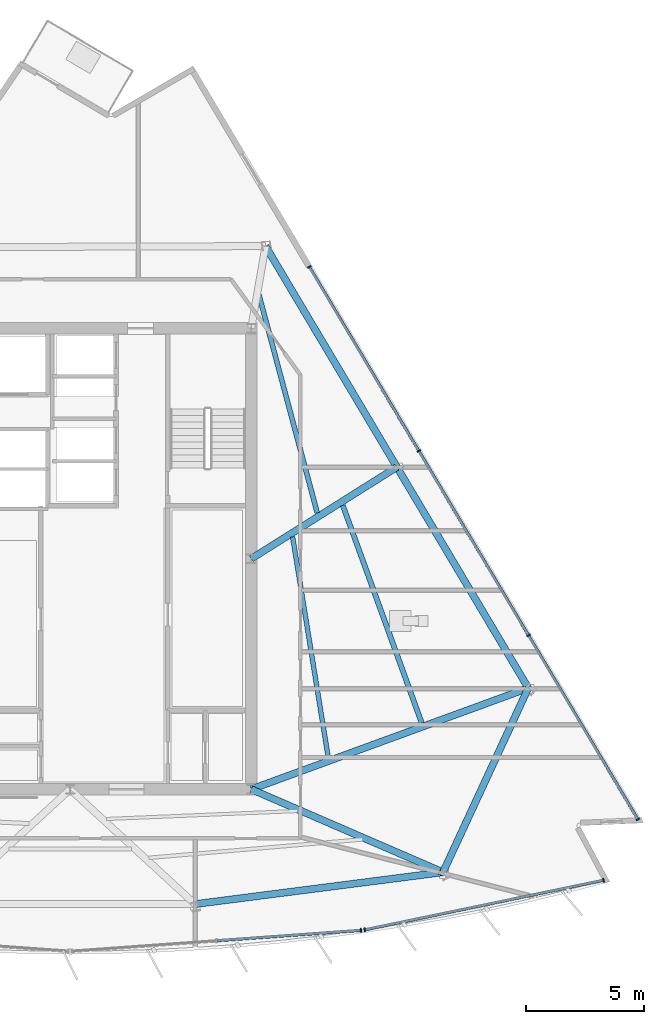
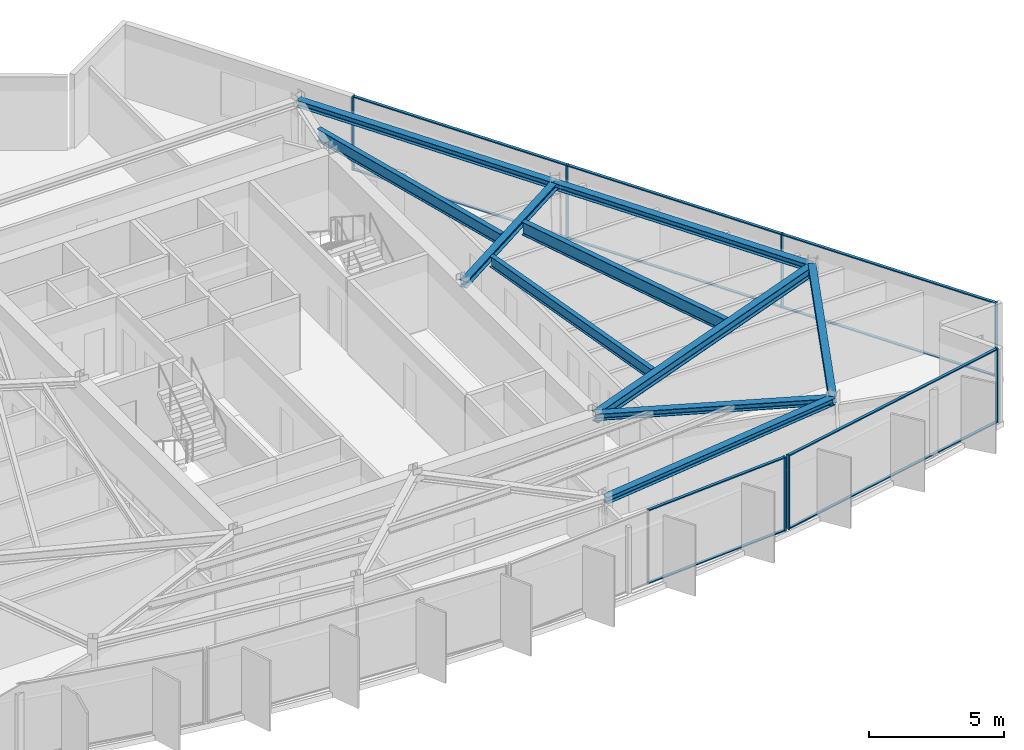
# One storey, part 5 of 13: 17 members, 10 beams, 3 elements without a shape of their own.
"""IFC4 building model written with IfcOpenShell, lengths in metres."""

from ifc_helpers import new_model, si_unit, direction, frame, origin, origin_2d, place, context, subcontext, project, spatial, rectangle, i_section, extrude, material, material_profile, profile_set, type_object, element, aggregate, save


model = new_model("IFC4")

# Units and contexts
model_context = context("Model", 3, precision=1e-05, world=origin(), true_north=direction((0.0, 1.0)))
body_context = subcontext(model_context, "Body", "Model", "MODEL_VIEW")
ifc_project = project(units=[si_unit("LENGTHUNIT", "METRE"), si_unit("AREAUNIT", "SQUARE_METRE"), si_unit("VOLUMEUNIT", "CUBIC_METRE"), si_unit("PLANEANGLEUNIT", "RADIAN"), si_unit("MASSUNIT", "GRAM", prefix="KILO")], contexts=[model_context])

# Site, building, storey
site_placement = place(None, origin())
site = spatial("IfcSite", under=ifc_project, at=site_placement, CompositionType="ELEMENT")
building_placement = place(site_placement, origin())
building = spatial("IfcBuilding", under=site, at=building_placement, Name="Savorim Split Tower", CompositionType="ELEMENT")
storey_placement = place(building_placement, frame((0.0, 0.0, 250.800048828125)))
storey = spatial("IfcBuildingStorey", under=building, at=storey_placement, Name="L66", CompositionType="ELEMENT", Elevation=250.800048828125)

# Beams
ifc_material_1 = material(Name="Steel S355", Category="steel")
ifc_material_profile_1 = material_profile(ifc_material_1, i_section(OverallWidth=0.199951171875, OverallDepth=0.5, WebThickness=0.01025390625, FlangeThickness=0.01611328125, FilletRadius=0.02099609375, at=origin_2d()), Name="IPE 500")
ifc_profile_set_1 = profile_set([ifc_material_profile_1], Name="Steel S355")
beam_type_1 = type_object("IfcBeamType", Name="BM-JST-IPE500", PredefinedType="JOIST", material=ifc_profile_set_1)
beam_1_placement = place(storey_placement, frame((10.97265625, -8.036865234375, 3.099853515625), z_axis=(-0.159395791295, 0.987214759674, 0.0), x_axis=(-0.987214759674, -0.159395791295, 0.0)))
element("IfcBeam", 1, at=beam_1_placement, inside=storey, type_object=beam_type_1, Name="L66 Secondary Floor Joist JS-08", PredefinedType="JOIST", context=body_context, shape_type="SweptSolid", body=[
    extrude(i_section(OverallWidth=0.199951171875, OverallDepth=0.5, WebThickness=0.01025390625, FlangeThickness=0.01611328125, FilletRadius=0.02099609375, at=origin_2d()), origin(), (0.0, 0.0, 1.0), 9.49169921875),
])
ifc_material_profile_2 = material_profile(ifc_material_1, i_section(OverallWidth=0.2099609375, OverallDepth=0.550048828125, WebThickness=0.010986328125, FlangeThickness=0.01708984375, FilletRadius=0.02392578125, at=origin_2d()), Name="IPE 550")
ifc_profile_set_2 = profile_set([ifc_material_profile_2], Name="Steel S355")
beam_type_2 = type_object("IfcBeamType", Name="BM-JST-IPE550", PredefinedType="JOIST", material=ifc_profile_set_2)
beam_2_placement = place(storey_placement, frame((10.507568359375, 2.34765625, 3.074951171875), z_axis=(-0.258221162116, 0.966085830263, 0.0), x_axis=(-0.966085830263, -0.258221162116, 0.0)))
element("IfcBeam", 2, at=beam_2_placement, inside=storey, type_object=beam_type_2, Name="L66 Secondary Floor Joist JS-07", PredefinedType="JOIST", context=body_context, shape_type="SweptSolid", body=[
    extrude(i_section(OverallWidth=0.2099609375, OverallDepth=0.550048828125, WebThickness=0.010986328125, FlangeThickness=0.01708984375, FilletRadius=0.02392578125, at=origin_2d()), origin(), (0.0, 0.0, 1.0), 9.630615234375),
])
ifc_material_profile_3 = material_profile(ifc_material_1, i_section(OverallWidth=0.219970703125, OverallDepth=0.60009765625, WebThickness=0.011962890625, FlangeThickness=0.01904296875, FilletRadius=0.02392578125, at=origin_2d()), Name="IPE 600")
ifc_profile_set_3 = profile_set([ifc_material_profile_3], Name="Steel S355")
beam_type_3 = type_object("IfcBeamType", Name="BM-JST-IPE600", PredefinedType="JOIST", material=ifc_profile_set_3)
beam_3_placement = place(storey_placement, frame((14.948486328125, -6.5810546875, 3.050048828125), z_axis=(-0.340957806786, 0.940078599901, 0.0), x_axis=(-0.940078599901, -0.340957806786, 0.0)))
element("IfcBeam", 3, at=beam_3_placement, inside=storey, type_object=beam_type_3, Name="L66 Secondary Floor Joist JS-06", PredefinedType="JOIST", context=body_context, shape_type="SweptSolid", body=[
    extrude(i_section(OverallWidth=0.219970703125, OverallDepth=0.60009765625, WebThickness=0.011962890625, FlangeThickness=0.01904296875, FilletRadius=0.02392578125, at=origin_2d()), origin(), (0.0, 0.0, 1.0), 9.8369140625),
])
ifc_material_profile_4 = material_profile(ifc_material_1, i_section(OverallWidth=0.300048828125, OverallDepth=0.300048828125, WebThickness=0.010986328125, FlangeThickness=0.01904296875, FilletRadius=0.027099609375, at=origin_2d()), Name="HEB 300")
ifc_profile_set_4 = profile_set([ifc_material_profile_4], Name="Steel S355")
beam_type_4 = type_object("IfcBeamType", Name="BM-PRI-HEB300", PredefinedType="BEAM", material=ifc_profile_set_4)
beam_4_placement = place(storey_placement, frame((15.853515625, -12.928466796875, 3.199951171875), z_axis=(-0.9177463366, 0.39716704503, 0.0), x_axis=(-0.39716704503, -0.9177463366, 0.0)))
element("IfcBeam", 4, at=beam_4_placement, inside=storey, type_object=beam_type_4, Name="L66 Primary Floor Girder RG-04", PredefinedType="BEAM", context=body_context, shape_type="SweptSolid", body=[
    extrude(i_section(OverallWidth=0.300048828125, OverallDepth=0.300048828125, WebThickness=0.010986328125, FlangeThickness=0.01904296875, FilletRadius=0.027099609375, at=origin_2d()), origin(), (0.0, 0.0, 1.0), 8.88427734375),
])
beam_5_placement = place(storey_placement, frame((13.893310546875, 4.298095703125, 3.199951171875), z_axis=(-0.846314726368, -0.532683192838, 0.0), x_axis=(0.532683192838, -0.846314726368, 0.0)))
element("IfcBeam", 5, at=beam_5_placement, inside=storey, type_object=beam_type_4, Name="L66 Primary Floor Girder RG-06", PredefinedType="BEAM", context=body_context, shape_type="SweptSolid", body=[
    extrude(i_section(OverallWidth=0.300048828125, OverallDepth=0.300048828125, WebThickness=0.010986328125, FlangeThickness=0.01904296875, FilletRadius=0.027099609375, at=origin_2d()), origin(), (0.0, 0.0, 1.0), 7.318115234375),
])
ifc_material_profile_5 = material_profile(ifc_material_1, i_section(OverallWidth=0.300048828125, OverallDepth=0.449951171875, WebThickness=0.013916015625, FlangeThickness=0.02587890625, FilletRadius=0.027099609375, at=origin_2d()), Name="HEB 450")
ifc_profile_set_5 = profile_set([ifc_material_profile_5], Name="Steel S355")
beam_type_5 = type_object("IfcBeamType", Name="BM-PRI-HEB450", PredefinedType="BEAM", material=ifc_profile_set_5)
beam_6_placement = place(storey_placement, frame((19.47900390625, -5.095947265625, 3.125), z_axis=(-0.939263113558, -0.343197907205, 0.0), x_axis=(0.343197907205, -0.939263113558, 0.0)))
element("IfcBeam", 6, at=beam_6_placement, inside=storey, type_object=beam_type_5, Name="L66 Primary Floor Girder RG-05", PredefinedType="BEAM", context=body_context, shape_type="SweptSolid", body=[
    extrude(i_section(OverallWidth=0.300048828125, OverallDepth=0.449951171875, WebThickness=0.013916015625, FlangeThickness=0.02587890625, FilletRadius=0.027099609375, at=origin_2d()), origin(), (0.0, 0.0, 1.0), 12.540771484375),
])
ifc_material_profile_6 = material_profile(ifc_material_1, i_section(OverallWidth=0.300048828125, OverallDepth=0.31005859375, WebThickness=0.009033203125, FlangeThickness=0.015380859375, FilletRadius=0.027099609375, at=origin_2d()), Name="HEA 320")
ifc_profile_set_6 = profile_set([ifc_material_profile_6], Name="Steel S355")
beam_type_6 = type_object("IfcBeamType", Name="BM-SPN-HEA320", PredefinedType="SPANDREL", material=ifc_profile_set_6)
beam_7_placement = place(storey_placement, frame((5.3134765625, -14.28173828125, 3.195068359375), z_axis=(0.991858093536, 0.127348036053, 0.0), x_axis=(-0.127348036053, 0.991858093536, 0.0)))
element("IfcBeam", 7, at=beam_7_placement, inside=storey, type_object=beam_type_6, Name="L66 Perimeter Spandrel Beam 3", PredefinedType="SPANDREL", context=body_context, shape_type="SweptSolid", body=[
    extrude(i_section(OverallWidth=0.300048828125, OverallDepth=0.31005859375, WebThickness=0.009033203125, FlangeThickness=0.015380859375, FilletRadius=0.027099609375, at=origin_2d()), origin(), (0.0, 0.0, 1.0), 10.62646484375),
])
beam_8_placement = place(storey_placement, frame((15.853515625, -12.928466796875, 3.195068359375), z_axis=(0.420058861306, 0.907496861173, 0.0), x_axis=(-0.907496861173, 0.420058861306, 0.0)))
element("IfcBeam", 8, at=beam_8_placement, inside=storey, type_object=beam_type_6, Name="L66 Perimeter Spandrel Beam 4", PredefinedType="SPANDREL", context=body_context, shape_type="SweptSolid", body=[
    extrude(i_section(OverallWidth=0.300048828125, OverallDepth=0.31005859375, WebThickness=0.009033203125, FlangeThickness=0.015380859375, FilletRadius=0.027099609375, at=origin_2d()), origin(), (0.0, 0.0, 1.0), 8.630859375),
])
beam_9_placement = place(storey_placement, frame((19.47900390625, -5.095947265625, 3.195068359375), z_axis=(-0.511078515176, 0.859534031511, 0.0), x_axis=(-0.859534031511, -0.511078515176, 0.0)))
element("IfcBeam", 9, at=beam_9_placement, inside=storey, type_object=beam_type_6, Name="L66 Perimeter Spandrel Beam 5", PredefinedType="SPANDREL", context=body_context, shape_type="SweptSolid", body=[
    extrude(i_section(OverallWidth=0.300048828125, OverallDepth=0.31005859375, WebThickness=0.009033203125, FlangeThickness=0.015380859375, FilletRadius=0.027099609375, at=origin_2d()), origin(), (0.0, 0.0, 1.0), 10.92919921875),
])
beam_10_placement = place(storey_placement, frame((13.893310546875, 4.298095703125, 3.195068359375), z_axis=(-0.511088328319, 0.859528196545, 0.0), x_axis=(-0.859528196545, -0.511088328319, 0.0)))
element("IfcBeam", 10, at=beam_10_placement, inside=storey, type_object=beam_type_6, Name="L66 Perimeter Spandrel Beam 6", PredefinedType="SPANDREL", context=body_context, shape_type="SweptSolid", body=[
    extrude(i_section(OverallWidth=0.300048828125, OverallDepth=0.31005859375, WebThickness=0.009033203125, FlangeThickness=0.015380859375, FilletRadius=0.027099609375, at=origin_2d()), origin(), (0.0, 0.0, 1.0), 10.928955078125),
])

# Curtain wall, member
ifc_material_2 = material(Name="Dark Ceramic-Fritted Insulated Glass", Category="glass")
curtain_wall_type = type_object("IfcCurtainWallType", Name="CW-TWR-FRIT-B", PredefinedType="NOTDEFINED", material=ifc_material_2)
curtain_wall_1_placement = place(storey_placement, origin())
curtain_wall_1 = element("IfcCurtainWall", 11, at=curtain_wall_1_placement, inside=storey, type_object=curtain_wall_type, Name="L66 Curtain Wall CW-L66-SF3", PredefinedType="NOTDEFINED")
ifc_material_3 = material(Name="Charcoal Anodised Aluminium", Category="aluminium")
ifc_material_profile_7 = material_profile(ifc_material_3, rectangle(XDim=0.159912109375, YDim=0.06005859375, at=origin_2d()), Name="ALU-M 160x60")
ifc_profile_set_7 = profile_set([ifc_material_profile_7], Name="Charcoal Anodised Aluminium")
member_type_1 = type_object("IfcMemberType", Name="CWM-160x60", PredefinedType="MULLION", material=ifc_profile_set_7)
member_1_placement = place(storey_placement, frame((12.362060546875, -15.39599609375, 0.0), z_axis=(0.0, 0.0, 1.0), x_axis=(-0.071562386711, 0.997436125678, 0.0)))
member_1 = element("IfcMember", 12, at=member_1_placement, type_object=member_type_1, Name="CW-03 mullion 3", PredefinedType="MULLION", context=body_context, shape_type="SweptSolid", body=[
    extrude(rectangle(XDim=0.159912109375, YDim=0.06005859375, at=origin_2d()), origin(), (0.0, 0.0, 1.0), 3.349853515625),
])

# Curtain wall, members
curtain_wall_2_placement = place(storey_placement, origin())
curtain_wall_2 = element("IfcCurtainWall", 13, at=curtain_wall_2_placement, inside=storey, type_object=curtain_wall_type, Name="L66 Curtain Wall CW-L66-SF4", PredefinedType="NOTDEFINED")
member_2_placement = place(storey_placement, frame((12.524169921875, -15.373291015625, 0.0), z_axis=(0.0, 0.0, 1.0), x_axis=(-0.20320761208, 0.979135673129, 0.0)))
member_2 = element("IfcMember", 14, at=member_2_placement, type_object=member_type_1, Name="CW-03 mullion 1", PredefinedType="MULLION", context=body_context, shape_type="SweptSolid", body=[
    extrude(rectangle(XDim=0.159912109375, YDim=0.06005859375, at=origin_2d()), origin(), (0.0, 0.0, 1.0), 3.349853515625),
])
member_3_placement = place(storey_placement, frame((22.677978515625, -13.26611328125, 0.0), z_axis=(0.0, 0.0, 1.0), x_axis=(-0.20320761208, 0.979135673129, 0.0)))
member_3 = element("IfcMember", 15, at=member_3_placement, type_object=member_type_1, Name="CW-03 mullion 2", PredefinedType="MULLION", context=body_context, shape_type="SweptSolid", body=[
    extrude(rectangle(XDim=0.159912109375, YDim=0.06005859375, at=origin_2d()), origin(), (0.0, 0.0, 1.0), 3.349853515625),
])

curtain_wall_3_placement = place(storey_placement, origin())
curtain_wall_3 = element("IfcCurtainWall", 16, at=curtain_wall_3_placement, inside=storey, type_object=curtain_wall_type, Name="L66 Curtain Wall CW-L66-EAST", PredefinedType="NOTDEFINED")
member_4_placement = place(storey_placement, frame((24.138427734375, -10.678955078125, 0.0), z_axis=(0.0, 0.0, 1.0), x_axis=(-0.859527043432, -0.511090267573, 0.0)))
member_4 = element("IfcMember", 17, at=member_4_placement, type_object=member_type_1, Name="CW-03 mullion 1", PredefinedType="MULLION", context=body_context, shape_type="SweptSolid", body=[
    extrude(rectangle(XDim=0.159912109375, YDim=0.06005859375, at=origin_2d()), origin(), (0.0, 0.0, 1.0), 3.349853515625),
])
member_5_placement = place(storey_placement, frame((19.48828125, -2.85888671875, 0.0), z_axis=(0.0, 0.0, 1.0), x_axis=(-0.859527043432, -0.511090267573, 0.0)))
member_5 = element("IfcMember", 18, at=member_5_placement, type_object=member_type_1, Name="CW-03 mullion 2", PredefinedType="MULLION", context=body_context, shape_type="SweptSolid", body=[
    extrude(rectangle(XDim=0.159912109375, YDim=0.06005859375, at=origin_2d()), origin(), (0.0, 0.0, 1.0), 3.349853515625),
])
member_6_placement = place(storey_placement, frame((14.822998046875, 4.987060546875, 0.0), z_axis=(0.0, 0.0, 1.0), x_axis=(-0.859527043432, -0.511090267573, 0.0)))
member_6 = element("IfcMember", 19, at=member_6_placement, type_object=member_type_1, Name="CW-03 mullion 3", PredefinedType="MULLION", context=body_context, shape_type="SweptSolid", body=[
    extrude(rectangle(XDim=0.159912109375, YDim=0.06005859375, at=origin_2d()), origin(), (0.0, 0.0, 1.0), 3.349853515625),
])
member_7_placement = place(storey_placement, frame((10.173095703125, 12.80712890625, 0.0), z_axis=(0.0, 0.0, 1.0), x_axis=(-0.859527043432, -0.511090267573, 0.0)))
member_7 = element("IfcMember", 20, at=member_7_placement, type_object=member_type_1, Name="CW-03 mullion 4", PredefinedType="MULLION", context=body_context, shape_type="SweptSolid", body=[
    extrude(rectangle(XDim=0.159912109375, YDim=0.06005859375, at=origin_2d()), origin(), (0.0, 0.0, 1.0), 3.349853515625),
])

# Member
ifc_material_profile_8 = material_profile(ifc_material_3, rectangle(XDim=0.1201171875, YDim=0.050048828125, at=origin_2d()), Name="ALU-T 120x50")
ifc_profile_set_8 = profile_set([ifc_material_profile_8], Name="Charcoal Anodised Aluminium")
member_type_2 = type_object("IfcMemberType", Name="CWT-120x50", PredefinedType="USERDEFINED", material=ifc_profile_set_8)
member_8_placement = place(storey_placement, frame((6.25146484375, -15.83447265625, 0.02490234375), z_axis=(0.997436085583, 0.071562945555, 0.0), x_axis=(-0.071562945555, 0.997436085583, 0.0)))
member_8 = element("IfcMember", 21, at=member_8_placement, type_object=member_type_2, Name="CW-03 transom 2.1", ObjectType="TRANSOM", PredefinedType="USERDEFINED", context=body_context, shape_type="SweptSolid", body=[
    extrude(rectangle(XDim=0.1201171875, YDim=0.050048828125, at=origin_2d()), origin(), (0.0, 0.0, 1.0), 6.096435546875),
])

member_9_placement = place(storey_placement, frame((6.25146484375, -15.83447265625, 3.324951171875), z_axis=(0.997436085583, 0.071562945555, 0.0), x_axis=(-0.071562945555, 0.997436085583, 0.0)))
member_9 = element("IfcMember", 22, at=member_9_placement, type_object=member_type_2, Name="CW-03 transom 2.2", ObjectType="TRANSOM", PredefinedType="USERDEFINED", context=body_context, shape_type="SweptSolid", body=[
    extrude(rectangle(XDim=0.1201171875, YDim=0.050048828125, at=origin_2d()), origin(), (0.0, 0.0, 1.0), 6.096435546875),
])

aggregate(curtain_wall_1, [member_1, member_8, member_9])

member_10_placement = place(storey_placement, frame((12.553466796875, -15.3671875, 0.02490234375), z_axis=(0.97913890437, 0.203192042041, 0.0), x_axis=(-0.203192042041, 0.97913890437, 0.0)))
member_10 = element("IfcMember", 23, at=member_10_placement, type_object=member_type_2, Name="CW-03 transom 1.1", ObjectType="TRANSOM", PredefinedType="USERDEFINED", context=body_context, shape_type="SweptSolid", body=[
    extrude(rectangle(XDim=0.1201171875, YDim=0.050048828125, at=origin_2d()), origin(), (0.0, 0.0, 1.0), 10.310302734375),
])

member_11_placement = place(storey_placement, frame((12.553466796875, -15.3671875, 3.324951171875), z_axis=(0.97913890437, 0.203192042041, 0.0), x_axis=(-0.203192042041, 0.97913890437, 0.0)))
member_11 = element("IfcMember", 24, at=member_11_placement, type_object=member_type_2, Name="CW-03 transom 1.2", ObjectType="TRANSOM", PredefinedType="USERDEFINED", context=body_context, shape_type="SweptSolid", body=[
    extrude(rectangle(XDim=0.1201171875, YDim=0.050048828125, at=origin_2d()), origin(), (0.0, 0.0, 1.0), 10.310302734375),
])

aggregate(curtain_wall_2, [member_2, member_3, member_10, member_11])

member_12_placement = place(storey_placement, frame((24.123046875, -10.6533203125, 0.02490234375), z_axis=(-0.511095349308, 0.859524021721, 0.0), x_axis=(-0.859524021721, -0.511095349308, 0.0)))
member_12 = element("IfcMember", 25, at=member_12_placement, type_object=member_type_2, Name="CW-03 transom 1.1", ObjectType="TRANSOM", PredefinedType="USERDEFINED", context=body_context, shape_type="SweptSolid", body=[
    extrude(rectangle(XDim=0.1201171875, YDim=0.050048828125, at=origin_2d()), origin(), (0.0, 0.0, 1.0), 9.0380859375),
])

member_13_placement = place(storey_placement, frame((24.123046875, -10.6533203125, 3.324951171875), z_axis=(-0.511095349308, 0.859524021721, 0.0), x_axis=(-0.859524021721, -0.511095349308, 0.0)))
member_13 = element("IfcMember", 26, at=member_13_placement, type_object=member_type_2, Name="CW-03 transom 1.2", ObjectType="TRANSOM", PredefinedType="USERDEFINED", context=body_context, shape_type="SweptSolid", body=[
    extrude(rectangle(XDim=0.1201171875, YDim=0.050048828125, at=origin_2d()), origin(), (0.0, 0.0, 1.0), 9.0380859375),
])

member_14_placement = place(storey_placement, frame((19.47314453125, -2.8330078125, 0.02490234375), z_axis=(-0.511106572679, 0.859517347913, 0.0), x_axis=(-0.859517347913, -0.511106572679, 0.0)))
member_14 = element("IfcMember", 27, at=member_14_placement, type_object=member_type_2, Name="CW-03 transom 2.1", ObjectType="TRANSOM", PredefinedType="USERDEFINED", context=body_context, shape_type="SweptSolid", body=[
    extrude(rectangle(XDim=0.1201171875, YDim=0.050048828125, at=origin_2d()), origin(), (0.0, 0.0, 1.0), 9.068115234375),
])

member_15_placement = place(storey_placement, frame((19.47314453125, -2.8330078125, 3.324951171875), z_axis=(-0.511106572679, 0.859517347913, 0.0), x_axis=(-0.859517347913, -0.511106572679, 0.0)))
member_15 = element("IfcMember", 28, at=member_15_placement, type_object=member_type_2, Name="CW-03 transom 2.2", ObjectType="TRANSOM", PredefinedType="USERDEFINED", context=body_context, shape_type="SweptSolid", body=[
    extrude(rectangle(XDim=0.1201171875, YDim=0.050048828125, at=origin_2d()), origin(), (0.0, 0.0, 1.0), 9.068115234375),
])

member_16_placement = place(storey_placement, frame((14.8076171875, 5.012939453125, 0.02490234375), z_axis=(-0.511075392877, 0.859535888021, 0.0), x_axis=(-0.859535888021, -0.511075392877, 0.0)))
member_16 = element("IfcMember", 29, at=member_16_placement, type_object=member_type_2, Name="CW-03 transom 3.1", ObjectType="TRANSOM", PredefinedType="USERDEFINED", context=body_context, shape_type="SweptSolid", body=[
    extrude(rectangle(XDim=0.1201171875, YDim=0.050048828125, at=origin_2d()), origin(), (0.0, 0.0, 1.0), 9.0380859375),
])

member_17_placement = place(storey_placement, frame((14.8076171875, 5.012939453125, 3.324951171875), z_axis=(-0.511075392877, 0.859535888021, 0.0), x_axis=(-0.859535888021, -0.511075392877, 0.0)))
member_17 = element("IfcMember", 30, at=member_17_placement, type_object=member_type_2, Name="CW-03 transom 3.2", ObjectType="TRANSOM", PredefinedType="USERDEFINED", context=body_context, shape_type="SweptSolid", body=[
    extrude(rectangle(XDim=0.1201171875, YDim=0.050048828125, at=origin_2d()), origin(), (0.0, 0.0, 1.0), 9.0380859375),
])

aggregate(curtain_wall_3, [member_4, member_5, member_6, member_7, member_12, member_13, member_14, member_15, member_16, member_17])

save(model, "model.ifc")
